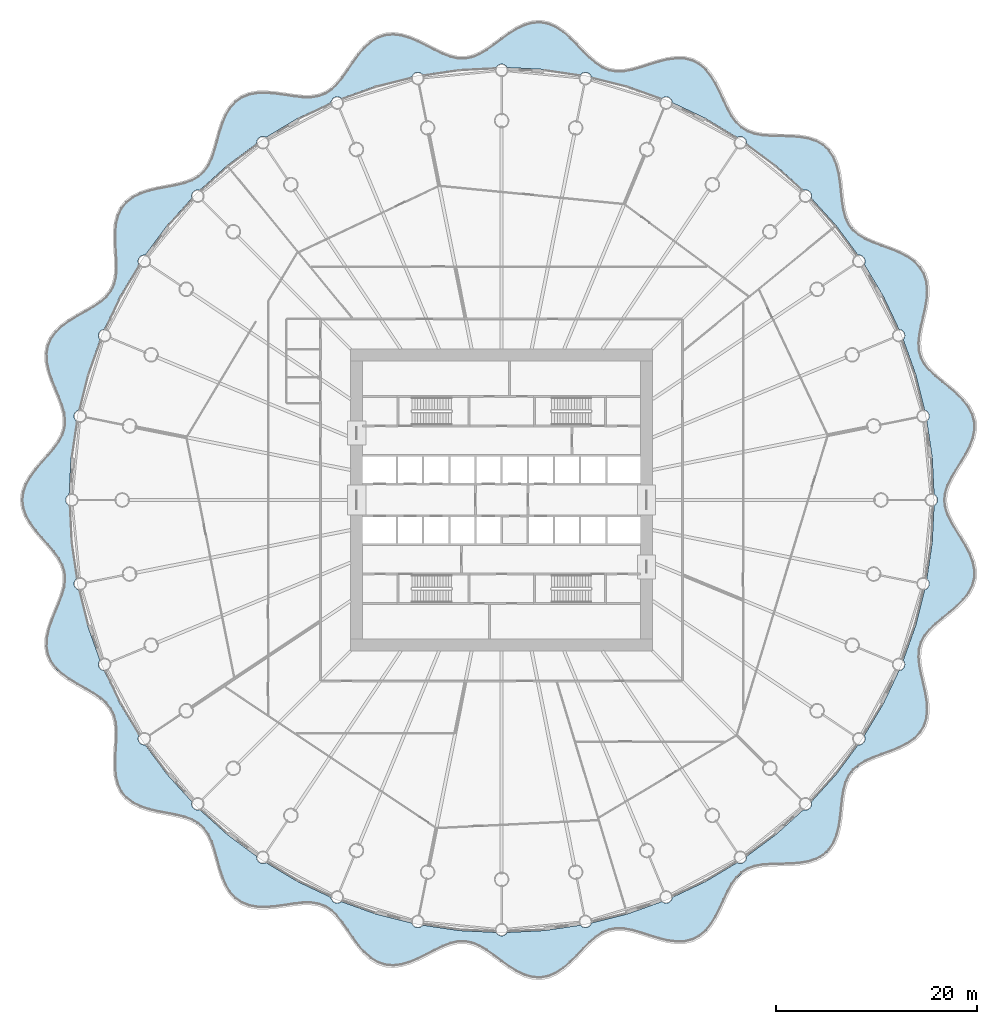
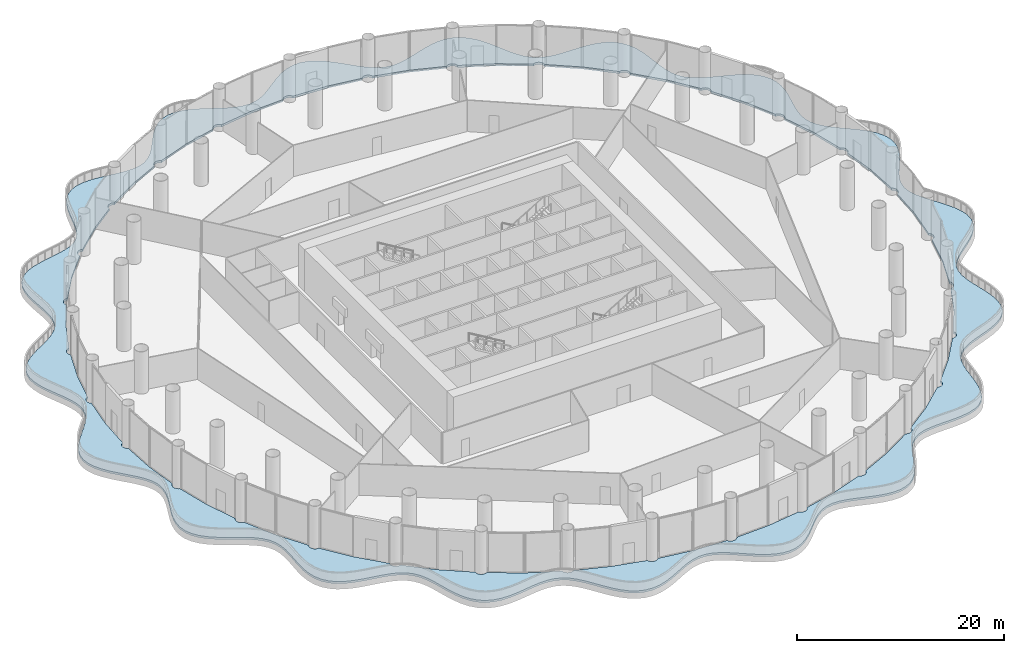
# One storey, part 20 of 35: 1 slab.
"""IFC4 building model written with IfcOpenShell, lengths in metres."""

from ifc_helpers import new_model, si_unit, direction, frame, origin, place, context, subcontext, project, spatial, polyline, outline, extrude, material, layer, layer_set, type_object, element, save


model = new_model("IFC4")

# Units and contexts
model_context = context("Model", 3, precision=1e-05, world=origin(), true_north=direction((0.0, 1.0)))
body_context = subcontext(model_context, "Body", "Model", "MODEL_VIEW")
ifc_project = project(units=[si_unit("LENGTHUNIT", "METRE"), si_unit("AREAUNIT", "SQUARE_METRE"), si_unit("VOLUMEUNIT", "CUBIC_METRE"), si_unit("PLANEANGLEUNIT", "RADIAN"), si_unit("MASSUNIT", "GRAM", prefix="KILO")], contexts=[model_context])

# Site, building, storey
site_placement = place(None, origin())
site = spatial("IfcSite", under=ifc_project, at=site_placement, CompositionType="ELEMENT")
building_placement = place(site_placement, origin())
building = spatial("IfcBuilding", under=site, at=building_placement, Name="Corvane Civic Tower", CompositionType="ELEMENT")
storey_placement = place(building_placement, frame((0.0, 0.0, 22.0)))
storey = spatial("IfcBuildingStorey", under=building, at=storey_placement, Name="L04", CompositionType="ELEMENT", Elevation=22.0)

# Slab
ifc_material = material(Name="Concrete C40/50", Category="concrete")
ifc_layer = layer(ifc_material, 0.25)
ifc_layer_set = layer_set([ifc_layer], Name="Concrete C40/50")
slab_type = type_object("IfcSlabType", Name="PODIUM-SL-RIBBON-250", PredefinedType="FLOOR", material=ifc_layer_set)
slab_placement = place(storey_placement, frame((0.0, 0.0, -0.25)))
element("IfcSlab", 1, at=slab_placement, inside=storey, type_object=slab_type, Name="L04 ribbon balcony slab", PredefinedType="FLOOR", context=body_context, shape_type="SweptSolid", body=[
    extrude(outline(polyline([(0.760009765625, 46.4443359375), (0.0, 45.89990234375), (-0.741943359375, 45.34326171875), (-1.467529296875, 44.82763671875), (-2.18115234375, 44.400634765625), (-2.890625, 44.100830078125), (-3.60400390625, 43.95263671875), (-4.330078125, 43.96484375), (-5.07666015625, 44.12890625), (-5.84814453125, 44.4208984375), (-6.64599609375, 44.803466796875), (-7.46728515625, 45.228759765625), (-8.305419921875, 45.644775390625), (-9.149658203125, 45.998779296875), (-9.987548828125, 46.24365234375), (-10.805419921875, 46.341552734375), (-11.589599609375, 46.268310546875), (-12.329833984375, 46.015380859375), (-13.01904296875, 45.59033203125), (-13.655517578125, 45.016357421875), (-14.243408203125, 44.32958984375), (-14.7919921875, 43.57568359375), (-15.31591796875, 42.80517578125), (-15.83349609375, 42.068603515625), (-16.364501953125, 41.411376953125), (-16.9287109375, 40.86962890625), (-17.543212890625, 40.467041015625), (-18.2197265625, 40.2119140625), (-18.964599609375, 40.097412109375), (-19.776123046875, 40.10205078125), (-20.644775390625, 40.19189453125), (-21.553955078125, 40.32470703125), (-22.481201171875, 40.452880859375), (-23.39990234375, 40.530029296875), (-24.282958984375, 40.513671875), (-25.10400390625, 40.37060546875), (-25.841796875, 40.07958984375), (-26.4814453125, 39.63232421875), (-27.01708984375, 39.035888671875), (-27.452392578125, 38.309814453125), (-27.801025390625, 37.4853515625), (-28.085205078125, 36.601318359375), (-28.333984375, 35.700439453125), (-28.580322265625, 34.8251953125), (-28.8583984375, 34.013671875), (-29.199462890625, 33.295654296875), (-29.62890625, 32.6904296875), (-30.162841796875, 32.20458984375), (-30.807373046875, 31.832275390625), (-31.55615234375, 31.55615234375), (-32.391845703125, 31.348876953125), (-33.286865234375, 31.176513671875), (-34.205322265625, 31.001953125), (-35.10791015625, 30.788818359375), (-35.95458984375, 30.505126953125), (-36.708251953125, 30.125732421875), (-37.340087890625, 29.63525390625), (-37.830810546875, 29.028564453125), (-38.174072265625, 28.31201171875), (-38.37744140625, 27.5009765625), (-38.461181640625, 26.619384765625), (-38.45654296875, 25.69580078125), (-38.40380859375, 24.76123046875), (-38.347412109375, 23.845947265625), (-38.3330078125, 22.975830078125), (-38.400634765625, 22.170654296875), (-38.582763671875, 21.44189453125), (-38.900390625, 20.792724609375), (-39.35986328125, 20.21728515625), (-39.95263671875, 19.702392578125), (-40.656494140625, 19.22900390625), (-41.436279296875, 18.774658203125), (-42.248046875, 18.315185546875), (-43.04248046875, 17.828857421875), (-43.770751953125, 17.296875), (-44.388671875, 16.706787109375), (-44.86083984375, 16.051513671875), (-45.1650390625, 15.33154296875), (-45.29345703125, 14.552978515625), (-45.255126953125, 13.72802734375), (-45.073486328125, 12.871337890625), (-44.785888671875, 12.00048828125), (-44.438720703125, 11.13134765625), (-44.08349609375, 10.27880859375), (-43.771728515625, 9.453857421875), (-43.550048828125, 8.66259765625), (-43.45556640625, 7.906982421875), (-43.511962890625, 7.183837890625), (-43.726806640625, 6.486328125), (-44.091552734375, 5.8046875), (-44.58154296875, 5.128662109375), (-45.158935546875, 4.44775390625), (-45.77587890625, 3.75341796875), (-46.379150390625, 3.039794921875), (-46.915771484375, 2.304931640625), (-47.337646484375, 1.549560546875), (-47.607421875, 0.779052734375), (-47.699951171875, 0.0), (-47.607421875, -0.779052734375), (-47.337646484375, -1.549560546875), (-46.915771484375, -2.304931640625), (-46.379150390625, -3.039794921875), (-45.77587890625, -3.75341796875), (-45.158935546875, -4.44775390625), (-44.58154296875, -5.128662109375), (-44.091552734375, -5.8046875), (-43.726806640625, -6.486328125), (-43.511962890625, -7.183837890625), (-43.45556640625, -7.906982421875), (-43.550048828125, -8.66259765625), (-43.771728515625, -9.453857421875), (-44.08349609375, -10.27880859375), (-44.438720703125, -11.13134765625), (-44.785888671875, -12.00048828125), (-45.073486328125, -12.871337890625), (-45.255126953125, -13.72802734375), (-45.29345703125, -14.552978515625), (-45.1650390625, -15.33154296875), (-44.86083984375, -16.051513671875), (-44.388671875, -16.706787109375), (-43.770751953125, -17.296875), (-43.04248046875, -17.828857421875), (-42.248046875, -18.315185546875), (-41.436279296875, -18.774658203125), (-40.656494140625, -19.22900390625), (-39.95263671875, -19.702392578125), (-39.35986328125, -20.21728515625), (-38.900390625, -20.792724609375), (-38.582763671875, -21.44189453125), (-38.400634765625, -22.170654296875), (-38.3330078125, -22.975830078125), (-38.347412109375, -23.845947265625), (-38.40380859375, -24.76123046875), (-38.45654296875, -25.69580078125), (-38.461181640625, -26.619384765625), (-38.37744140625, -27.5009765625), (-38.174072265625, -28.31201171875), (-37.830810546875, -29.028564453125), (-37.340087890625, -29.63525390625), (-36.708251953125, -30.125732421875), (-35.95458984375, -30.505126953125), (-35.10791015625, -30.788818359375), (-34.205322265625, -31.001953125), (-33.286865234375, -31.176513671875), (-32.391845703125, -31.348876953125), (-31.55615234375, -31.55615234375), (-30.807373046875, -31.832275390625), (-30.162841796875, -32.20458984375), (-29.62890625, -32.6904296875), (-29.199462890625, -33.295654296875), (-28.8583984375, -34.013671875), (-28.580322265625, -34.8251953125), (-28.333984375, -35.700439453125), (-28.085205078125, -36.601318359375), (-27.801025390625, -37.4853515625), (-27.452392578125, -38.309814453125), (-27.01708984375, -39.035888671875), (-26.4814453125, -39.63232421875), (-25.841796875, -40.07958984375), (-25.10400390625, -40.37060546875), (-24.282958984375, -40.513671875), (-23.39990234375, -40.530029296875), (-22.481201171875, -40.452880859375), (-21.553955078125, -40.32470703125), (-20.644775390625, -40.19189453125), (-19.776123046875, -40.10205078125), (-18.964599609375, -40.097412109375), (-18.2197265625, -40.2119140625), (-17.543212890625, -40.467041015625), (-16.9287109375, -40.86962890625), (-16.364501953125, -41.411376953125), (-15.83349609375, -42.068603515625), (-15.31591796875, -42.80517578125), (-14.7919921875, -43.57568359375), (-14.243408203125, -44.32958984375), (-13.655517578125, -45.016357421875), (-13.01904296875, -45.59033203125), (-12.329833984375, -46.015380859375), (-11.589599609375, -46.268310546875), (-10.805419921875, -46.341552734375), (-9.987548828125, -46.24365234375), (-9.149658203125, -45.998779296875), (-8.305419921875, -45.644775390625), (-7.46728515625, -45.228759765625), (-6.64599609375, -44.803466796875), (-5.84814453125, -44.4208984375), (-5.07666015625, -44.12890625), (-4.330078125, -43.96484375), (-3.60400390625, -43.95263671875), (-2.890625, -44.100830078125), (-2.18115234375, -44.400634765625), (-1.467529296875, -44.82763671875), (-0.741943359375, -45.34326171875), (0.0, -45.89990234375), (0.760009765625, -46.4443359375), (1.5361328125, -46.92333984375), (2.3232421875, -47.288818359375), (3.113525390625, -47.50244140625), (3.898193359375, -47.540283203125), (4.667724609375, -47.39306640625), (5.4150390625, -47.069580078125), (6.13427734375, -46.59375), (6.823974609375, -46.0029296875), (7.486572265625, -45.344970703125), (8.12841796875, -44.67236328125), (8.759521484375, -44.037353515625), (9.392333984375, -43.4873046875), (10.040283203125, -43.060302734375), (10.716064453125, -42.780517578125), (11.4296875, -42.656494140625), (12.188232421875, -42.680908203125), (12.99267578125, -42.830810546875), (13.838623046875, -43.06982421875), (14.71630859375, -43.3525390625), (15.610595703125, -43.628662109375), (16.503173828125, -43.84765625), (17.37353515625, -43.96435546875), (18.20166015625, -43.9423828125), (18.97021484375, -43.759033203125), (19.666748046875, -43.4052734375), (20.284912109375, -42.888671875), (20.825927734375, -42.23095703125), (21.299072265625, -41.465576171875), (21.72021484375, -40.6357421875), (22.112060546875, -39.78857421875), (22.5, -38.97119140625), (22.91162109375, -38.225830078125), (23.37255859375, -37.586181640625), (23.90380859375, -37.07373046875), (24.519775390625, -36.696533203125), (25.226318359375, -36.448486328125), (26.01904296875, -36.3095703125), (26.884033203125, -36.2490234375), (27.799072265625, -36.228515625), (28.734619140625, -36.205322265625), (29.656982421875, -36.13720703125), (30.531982421875, -35.986328125), (31.328369140625, -35.72314453125), (32.020263671875, -35.328857421875), (32.5908203125, -34.796875), (33.034423828125, -34.133544921875), (33.356201171875, -33.356201171875), (33.573974609375, -32.49267578125), (33.71484375, -31.577392578125), (33.81396484375, -30.647216796875), (33.910888671875, -29.739013671875), (34.04541015625, -28.885498046875), (34.254150390625, -28.111572265625), (34.565673828125, -27.433349609375), (34.9990234375, -26.855712890625), (35.560302734375, -26.373291015625), (36.24169921875, -25.970458984375), (37.023193359375, -25.6240234375), (37.87255859375, -25.3056640625), (38.74951171875, -24.984375), (39.609130859375, -24.630615234375), (40.406494140625, -24.21875), (41.1005859375, -23.7294921875), (41.65869140625, -23.151123046875), (42.06005859375, -22.4814453125), (42.2978515625, -21.7265625), (42.380126953125, -20.899658203125), (42.32958984375, -20.0205078125), (42.180908203125, -19.112060546875), (41.97802734375, -18.1982421875), (41.769775390625, -17.301513671875), (41.604736328125, -16.44091796875), (41.527587890625, -15.6298828125), (41.572998046875, -14.875), (41.76318359375, -14.1767578125), (42.10595703125, -13.52880859375), (42.592041015625, -12.920166015625), (43.19775390625, -12.335693359375), (43.885986328125, -11.75927734375), (44.610107421875, -11.17431640625), (45.318359375, -10.56689453125), (45.959228515625, -9.92626953125), (46.48583984375, -9.24658203125), (46.861328125, -8.526611328125), (47.06201171875, -7.77001953125), (47.07958984375, -6.983642578125), (46.923095703125, -6.177490234375), (46.616943359375, -5.36279296875), (46.198974609375, -4.55029296875), (45.717041015625, -3.74853515625), (45.224365234375, -2.964111328125), (44.773681640625, -2.19970703125), (44.4130859375, -1.453857421875), (44.180419921875, -0.722900390625), (44.10009765625, 0.0), (44.180419921875, 0.722900390625), (44.4130859375, 1.453857421875), (44.773681640625, 2.19970703125), (45.224365234375, 2.964111328125), (45.717041015625, 3.74853515625), (46.198974609375, 4.55029296875), (46.616943359375, 5.36279296875), (46.923095703125, 6.177490234375), (47.07958984375, 6.983642578125), (47.06201171875, 7.77001953125), (46.861328125, 8.526611328125), (46.48583984375, 9.24658203125), (45.959228515625, 9.92626953125), (45.318359375, 10.56689453125), (44.610107421875, 11.17431640625), (43.885986328125, 11.75927734375), (43.19775390625, 12.335693359375), (42.592041015625, 12.920166015625), (42.10595703125, 13.52880859375), (41.76318359375, 14.1767578125), (41.572998046875, 14.875), (41.527587890625, 15.6298828125), (41.604736328125, 16.44091796875), (41.769775390625, 17.301513671875), (41.97802734375, 18.1982421875), (42.180908203125, 19.112060546875), (42.32958984375, 20.0205078125), (42.380126953125, 20.899658203125), (42.2978515625, 21.7265625), (42.06005859375, 22.4814453125), (41.65869140625, 23.151123046875), (41.1005859375, 23.7294921875), (40.406494140625, 24.21875), (39.609130859375, 24.630615234375), (38.74951171875, 24.984375), (37.87255859375, 25.3056640625), (37.023193359375, 25.6240234375), (36.24169921875, 25.970458984375), (35.560302734375, 26.373291015625), (34.9990234375, 26.855712890625), (34.565673828125, 27.433349609375), (34.254150390625, 28.111572265625), (34.04541015625, 28.885498046875), (33.910888671875, 29.739013671875), (33.81396484375, 30.647216796875), (33.71484375, 31.577392578125), (33.573974609375, 32.49267578125), (33.356201171875, 33.356201171875), (33.034423828125, 34.133544921875), (32.5908203125, 34.796875), (32.020263671875, 35.328857421875), (31.328369140625, 35.72314453125), (30.531982421875, 35.986328125), (29.656982421875, 36.13720703125), (28.734619140625, 36.205322265625), (27.799072265625, 36.228515625), (26.884033203125, 36.2490234375), (26.01904296875, 36.3095703125), (25.226318359375, 36.448486328125), (24.519775390625, 36.696533203125), (23.90380859375, 37.07373046875), (23.37255859375, 37.586181640625), (22.91162109375, 38.225830078125), (22.5, 38.97119140625), (22.112060546875, 39.78857421875), (21.72021484375, 40.6357421875), (21.299072265625, 41.465576171875), (20.825927734375, 42.23095703125), (20.284912109375, 42.888671875), (19.666748046875, 43.4052734375), (18.97021484375, 43.759033203125), (18.20166015625, 43.9423828125), (17.37353515625, 43.96435546875), (16.503173828125, 43.84765625), (15.610595703125, 43.628662109375), (14.71630859375, 43.3525390625), (13.838623046875, 43.06982421875), (12.99267578125, 42.830810546875), (12.188232421875, 42.680908203125), (11.4296875, 42.656494140625), (10.716064453125, 42.780517578125), (10.040283203125, 43.060302734375), (9.392333984375, 43.4873046875), (8.759521484375, 44.037353515625), (8.12841796875, 44.67236328125), (7.486572265625, 45.344970703125), (6.823974609375, 46.0029296875), (6.13427734375, 46.59375), (5.4150390625, 47.069580078125), (4.667724609375, 47.39306640625), (3.898193359375, 47.540283203125), (3.113525390625, 47.50244140625), (2.3232421875, 47.288818359375), (1.5361328125, 46.92333984375), (0.760009765625, 46.4443359375)]), holes=[polyline([(0.31005859375, -43.23681640625), (0.160400390625, -43.298828125), (0.0, -43.320068359375), (-0.160400390625, -43.298828125), (-0.31005859375, -43.23681640625), (-0.4384765625, -43.138427734375), (-0.536865234375, -43.010009765625), (-0.55224609375, -42.972900390625), (-4.21484375, -42.79296875), (-7.84326171875, -42.2548828125), (-7.891845703125, -42.318115234375), (-8.020263671875, -42.41650390625), (-8.169921875, -42.478515625), (-8.330322265625, -42.49951171875), (-8.49072265625, -42.478515625), (-8.640380859375, -42.41650390625), (-8.768798828125, -42.318115234375), (-8.8671875, -42.189697265625), (-8.92919921875, -42.0400390625), (-8.929443359375, -42.038330078125), (-12.482177734375, -41.1484375), (-15.934814453125, -39.9130859375), (-16.030517578125, -39.986572265625), (-16.18017578125, -40.048583984375), (-16.340576171875, -40.069580078125), (-16.5009765625, -40.048583984375), (-16.650634765625, -39.986572265625), (-16.779052734375, -39.88818359375), (-16.87744140625, -39.759765625), (-16.939453125, -39.610107421875), (-16.955078125, -39.490478515625), (-20.27001953125, -37.922607421875), (-23.41162109375, -36.03955078125), (-23.412841796875, -36.04052734375), (-23.5625, -36.1025390625), (-23.722900390625, -36.123779296875), (-23.88330078125, -36.1025390625), (-24.032958984375, -36.04052734375), (-24.161376953125, -35.942138671875), (-24.259765625, -35.813720703125), (-24.32177734375, -35.6640625), (-24.343017578125, -35.503662109375), (-24.33251953125, -35.424560546875), (-27.27880859375, -33.239501953125), (-29.995849609375, -30.77685546875), (-30.032958984375, -30.792236328125), (-30.193359375, -30.8134765625), (-30.353759765625, -30.792236328125), (-30.50341796875, -30.730224609375), (-30.6318359375, -30.6318359375), (-30.730224609375, -30.50341796875), (-30.792236328125, -30.353759765625), (-30.8134765625, -30.193359375), (-30.792236328125, -30.032958984375), (-30.77685546875, -29.995849609375), (-33.239501953125, -27.27880859375), (-35.424560546875, -24.33251953125), (-35.503662109375, -24.343017578125), (-35.6640625, -24.32177734375), (-35.813720703125, -24.259765625), (-35.942138671875, -24.161376953125), (-36.04052734375, -24.032958984375), (-36.1025390625, -23.88330078125), (-36.123779296875, -23.722900390625), (-36.1025390625, -23.5625), (-36.04052734375, -23.412841796875), (-36.03955078125, -23.41162109375), (-37.922607421875, -20.27001953125), (-39.490478515625, -16.955078125), (-39.610107421875, -16.939453125), (-39.759765625, -16.87744140625), (-39.88818359375, -16.779052734375), (-39.986572265625, -16.650634765625), (-40.048583984375, -16.5009765625), (-40.069580078125, -16.340576171875), (-40.048583984375, -16.18017578125), (-39.986572265625, -16.030517578125), (-39.9130859375, -15.934814453125), (-41.1484375, -12.482177734375), (-42.038330078125, -8.929443359375), (-42.0400390625, -8.92919921875), (-42.189697265625, -8.8671875), (-42.318115234375, -8.768798828125), (-42.41650390625, -8.640380859375), (-42.478515625, -8.49072265625), (-42.49951171875, -8.330322265625), (-42.478515625, -8.169921875), (-42.41650390625, -8.020263671875), (-42.318115234375, -7.891845703125), (-42.2548828125, -7.84326171875), (-42.79296875, -4.21484375), (-42.972900390625, -0.55224609375), (-43.010009765625, -0.536865234375), (-43.138427734375, -0.4384765625), (-43.23681640625, -0.31005859375), (-43.298828125, -0.160400390625), (-43.320068359375, 0.0), (-43.298828125, 0.160400390625), (-43.23681640625, 0.31005859375), (-43.138427734375, 0.4384765625), (-43.010009765625, 0.536865234375), (-42.972900390625, 0.55224609375), (-42.79296875, 4.21484375), (-42.2548828125, 7.84326171875), (-42.318115234375, 7.891845703125), (-42.41650390625, 8.020263671875), (-42.478515625, 8.169921875), (-42.49951171875, 8.330322265625), (-42.478515625, 8.49072265625), (-42.41650390625, 8.640380859375), (-42.318115234375, 8.768798828125), (-42.189697265625, 8.8671875), (-42.0400390625, 8.92919921875), (-42.038330078125, 8.929443359375), (-41.1484375, 12.482177734375), (-39.9130859375, 15.934814453125), (-39.986572265625, 16.030517578125), (-40.048583984375, 16.18017578125), (-40.069580078125, 16.340576171875), (-40.048583984375, 16.5009765625), (-39.986572265625, 16.650634765625), (-39.88818359375, 16.779052734375), (-39.759765625, 16.87744140625), (-39.610107421875, 16.939453125), (-39.490478515625, 16.955078125), (-37.922607421875, 20.27001953125), (-36.03955078125, 23.41162109375), (-36.04052734375, 23.412841796875), (-36.1025390625, 23.5625), (-36.123779296875, 23.722900390625), (-36.1025390625, 23.88330078125), (-36.04052734375, 24.032958984375), (-35.942138671875, 24.161376953125), (-35.813720703125, 24.259765625), (-35.6640625, 24.32177734375), (-35.503662109375, 24.343017578125), (-35.424560546875, 24.33251953125), (-33.239501953125, 27.27880859375), (-30.77685546875, 29.995849609375), (-30.792236328125, 30.032958984375), (-30.8134765625, 30.193359375), (-30.792236328125, 30.353759765625), (-30.730224609375, 30.50341796875), (-30.6318359375, 30.6318359375), (-30.50341796875, 30.730224609375), (-30.353759765625, 30.792236328125), (-30.193359375, 30.8134765625), (-30.032958984375, 30.792236328125), (-29.995849609375, 30.77685546875), (-27.27880859375, 33.239501953125), (-24.33251953125, 35.424560546875), (-24.343017578125, 35.503662109375), (-24.32177734375, 35.6640625), (-24.259765625, 35.813720703125), (-24.161376953125, 35.942138671875), (-24.032958984375, 36.04052734375), (-23.88330078125, 36.1025390625), (-23.722900390625, 36.123779296875), (-23.5625, 36.1025390625), (-23.412841796875, 36.04052734375), (-23.41162109375, 36.03955078125), (-20.27001953125, 37.922607421875), (-16.955078125, 39.490478515625), (-16.939453125, 39.610107421875), (-16.87744140625, 39.759765625), (-16.779052734375, 39.88818359375), (-16.650634765625, 39.986572265625), (-16.5009765625, 40.048583984375), (-16.340576171875, 40.069580078125), (-16.18017578125, 40.048583984375), (-16.030517578125, 39.986572265625), (-15.934814453125, 39.9130859375), (-12.482177734375, 41.1484375), (-8.929443359375, 42.038330078125), (-8.92919921875, 42.0400390625), (-8.8671875, 42.189697265625), (-8.768798828125, 42.318115234375), (-8.640380859375, 42.41650390625), (-8.49072265625, 42.478515625), (-8.330322265625, 42.49951171875), (-8.169921875, 42.478515625), (-8.020263671875, 42.41650390625), (-7.891845703125, 42.318115234375), (-7.84326171875, 42.2548828125), (-4.21484375, 42.79296875), (-0.55224609375, 42.972900390625), (-0.536865234375, 43.010009765625), (-0.4384765625, 43.138427734375), (-0.31005859375, 43.23681640625), (-0.160400390625, 43.298828125), (0.0, 43.320068359375), (0.160400390625, 43.298828125), (0.31005859375, 43.23681640625), (0.4384765625, 43.138427734375), (0.536865234375, 43.010009765625), (0.55224609375, 42.972900390625), (4.21484375, 42.79296875), (7.84326171875, 42.2548828125), (7.891845703125, 42.318115234375), (8.020263671875, 42.41650390625), (8.169921875, 42.478515625), (8.330322265625, 42.49951171875), (8.49072265625, 42.478515625), (8.640380859375, 42.41650390625), (8.768798828125, 42.318115234375), (8.8671875, 42.189697265625), (8.92919921875, 42.0400390625), (8.929443359375, 42.038330078125), (12.482177734375, 41.1484375), (15.934814453125, 39.9130859375), (16.030517578125, 39.986572265625), (16.18017578125, 40.048583984375), (16.340576171875, 40.069580078125), (16.5009765625, 40.048583984375), (16.650634765625, 39.986572265625), (16.779052734375, 39.88818359375), (16.87744140625, 39.759765625), (16.939453125, 39.610107421875), (16.955078125, 39.490478515625), (20.27001953125, 37.922607421875), (23.41162109375, 36.03955078125), (23.412841796875, 36.04052734375), (23.5625, 36.1025390625), (23.722900390625, 36.123779296875), (23.88330078125, 36.1025390625), (24.032958984375, 36.04052734375), (24.161376953125, 35.942138671875), (24.259765625, 35.813720703125), (24.32177734375, 35.6640625), (24.343017578125, 35.503662109375), (24.33251953125, 35.424560546875), (27.27880859375, 33.239501953125), (29.995849609375, 30.77685546875), (30.032958984375, 30.792236328125), (30.193359375, 30.8134765625), (30.353759765625, 30.792236328125), (30.50341796875, 30.730224609375), (30.6318359375, 30.6318359375), (30.730224609375, 30.50341796875), (30.792236328125, 30.353759765625), (30.8134765625, 30.193359375), (30.792236328125, 30.032958984375), (30.77685546875, 29.995849609375), (33.239501953125, 27.27880859375), (35.424560546875, 24.33251953125), (35.503662109375, 24.343017578125), (35.6640625, 24.32177734375), (35.813720703125, 24.259765625), (35.942138671875, 24.161376953125), (36.04052734375, 24.032958984375), (36.1025390625, 23.88330078125), (36.123779296875, 23.722900390625), (36.1025390625, 23.5625), (36.04052734375, 23.412841796875), (36.03955078125, 23.41162109375), (37.922607421875, 20.27001953125), (39.490478515625, 16.955078125), (39.610107421875, 16.939453125), (39.759765625, 16.87744140625), (39.88818359375, 16.779052734375), (39.986572265625, 16.650634765625), (40.048583984375, 16.5009765625), (40.069580078125, 16.340576171875), (40.048583984375, 16.18017578125), (39.986572265625, 16.030517578125), (39.9130859375, 15.934814453125), (41.1484375, 12.482177734375), (42.038330078125, 8.929443359375), (42.0400390625, 8.92919921875), (42.189697265625, 8.8671875), (42.318115234375, 8.768798828125), (42.41650390625, 8.640380859375), (42.478515625, 8.49072265625), (42.49951171875, 8.330322265625), (42.478515625, 8.169921875), (42.41650390625, 8.020263671875), (42.318115234375, 7.891845703125), (42.2548828125, 7.84326171875), (42.79296875, 4.21484375), (42.972900390625, 0.55224609375), (43.010009765625, 0.536865234375), (43.138427734375, 0.4384765625), (43.23681640625, 0.31005859375), (43.298828125, 0.160400390625), (43.320068359375, 0.0), (43.298828125, -0.160400390625), (43.23681640625, -0.31005859375), (43.138427734375, -0.4384765625), (43.010009765625, -0.536865234375), (42.972900390625, -0.55224609375), (42.79296875, -4.21484375), (42.2548828125, -7.84326171875), (42.318115234375, -7.891845703125), (42.41650390625, -8.020263671875), (42.478515625, -8.169921875), (42.49951171875, -8.330322265625), (42.478515625, -8.49072265625), (42.41650390625, -8.640380859375), (42.318115234375, -8.768798828125), (42.189697265625, -8.8671875), (42.0400390625, -8.92919921875), (42.038330078125, -8.929443359375), (41.1484375, -12.482177734375), (39.9130859375, -15.934814453125), (39.986572265625, -16.030517578125), (40.048583984375, -16.18017578125), (40.069580078125, -16.340576171875), (40.048583984375, -16.5009765625), (39.986572265625, -16.650634765625), (39.88818359375, -16.779052734375), (39.759765625, -16.87744140625), (39.610107421875, -16.939453125), (39.490478515625, -16.955078125), (37.922607421875, -20.27001953125), (36.03955078125, -23.41162109375), (36.04052734375, -23.412841796875), (36.1025390625, -23.5625), (36.123779296875, -23.722900390625), (36.1025390625, -23.88330078125), (36.04052734375, -24.032958984375), (35.942138671875, -24.161376953125), (35.813720703125, -24.259765625), (35.6640625, -24.32177734375), (35.503662109375, -24.343017578125), (35.424560546875, -24.33251953125), (33.239501953125, -27.27880859375), (30.77685546875, -29.995849609375), (30.792236328125, -30.032958984375), (30.8134765625, -30.193359375), (30.792236328125, -30.353759765625), (30.730224609375, -30.50341796875), (30.6318359375, -30.6318359375), (30.50341796875, -30.730224609375), (30.353759765625, -30.792236328125), (30.193359375, -30.8134765625), (30.032958984375, -30.792236328125), (29.995849609375, -30.77685546875), (27.27880859375, -33.239501953125), (24.33251953125, -35.424560546875), (24.343017578125, -35.503662109375), (24.32177734375, -35.6640625), (24.259765625, -35.813720703125), (24.161376953125, -35.942138671875), (24.032958984375, -36.04052734375), (23.88330078125, -36.1025390625), (23.722900390625, -36.123779296875), (23.5625, -36.1025390625), (23.412841796875, -36.04052734375), (23.41162109375, -36.03955078125), (20.27001953125, -37.922607421875), (16.955078125, -39.490478515625), (16.939453125, -39.610107421875), (16.87744140625, -39.759765625), (16.779052734375, -39.88818359375), (16.650634765625, -39.986572265625), (16.5009765625, -40.048583984375), (16.340576171875, -40.069580078125), (16.18017578125, -40.048583984375), (16.030517578125, -39.986572265625), (15.934814453125, -39.9130859375), (12.482177734375, -41.1484375), (8.929443359375, -42.038330078125), (8.92919921875, -42.0400390625), (8.8671875, -42.189697265625), (8.768798828125, -42.318115234375), (8.640380859375, -42.41650390625), (8.49072265625, -42.478515625), (8.330322265625, -42.49951171875), (8.169921875, -42.478515625), (8.020263671875, -42.41650390625), (7.891845703125, -42.318115234375), (7.84326171875, -42.2548828125), (4.21484375, -42.79296875), (0.55224609375, -42.972900390625), (0.536865234375, -43.010009765625), (0.4384765625, -43.138427734375), (0.31005859375, -43.23681640625)])]), origin(), (0.0, 0.0, 1.0), 0.25),
])

save(model, "model.ifc")
